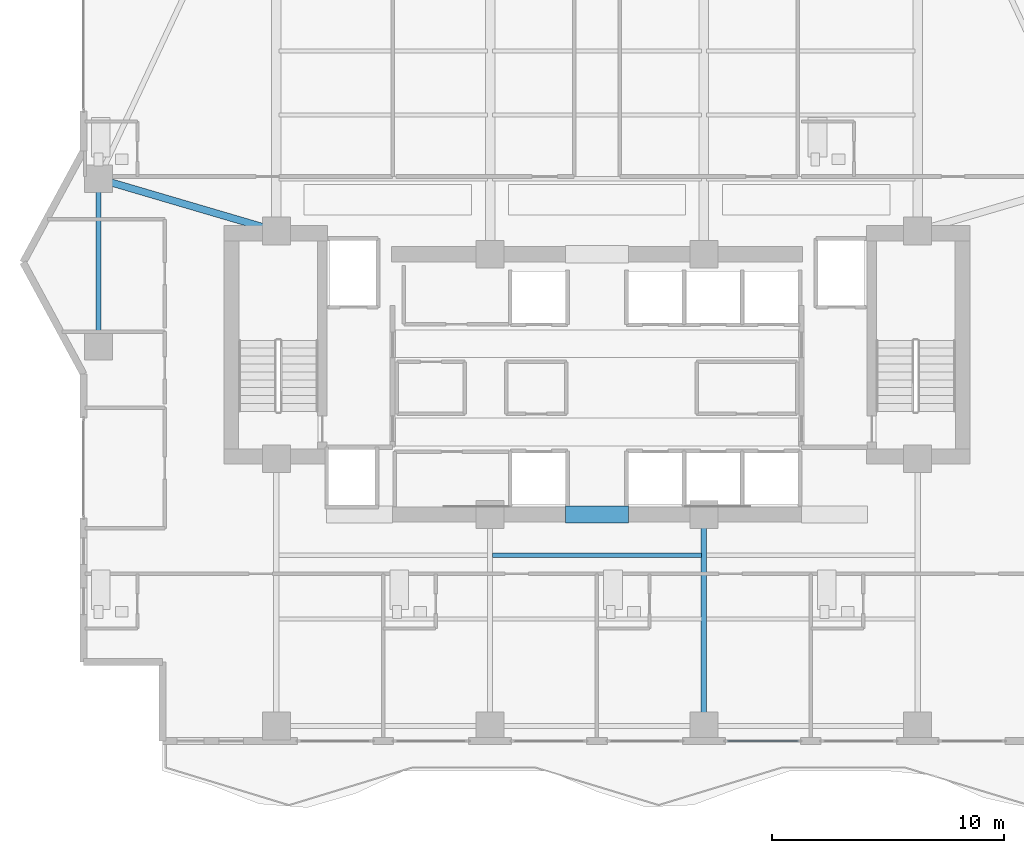
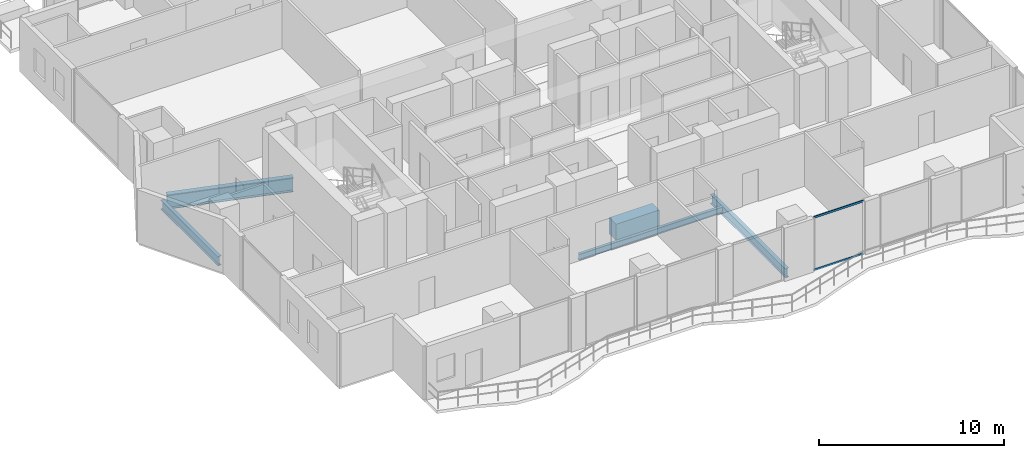
# One storey, part 6 of 32: 5 beams, 2 members, 1 element without a shape of its own.
"""IFC4 building model written with IfcOpenShell, lengths in metres."""

from ifc_helpers import new_model, si_unit, direction, frame, origin, origin_2d, place, context, subcontext, project, spatial, rectangle, hollow_rectangle, i_section, extrude, material, layer, layer_set, material_profile, profile_set, type_object, element, aggregate, save


model = new_model("IFC4")

# Units and contexts
model_context = context("Model", 3, precision=1e-05, world=origin(), true_north=direction((0.0, 1.0)))
body_context = subcontext(model_context, "Body", "Model", "MODEL_VIEW")
ifc_project = project(units=[si_unit("LENGTHUNIT", "METRE"), si_unit("AREAUNIT", "SQUARE_METRE"), si_unit("VOLUMEUNIT", "CUBIC_METRE"), si_unit("PLANEANGLEUNIT", "RADIAN"), si_unit("MASSUNIT", "GRAM", prefix="KILO")], contexts=[model_context])

# Site, building, storey
site_placement = place(None, origin())
site = spatial("IfcSite", under=ifc_project, at=site_placement, CompositionType="ELEMENT")
building_placement = place(site_placement, origin())
building = spatial("IfcBuilding", under=site, at=building_placement, Name="Zuhayl Quay Hotel", CompositionType="ELEMENT")
storey_placement = place(building_placement, frame((0.0, 0.0, 226.14990234375)))
storey = spatial("IfcBuildingStorey", under=building, at=storey_placement, Name="L57", CompositionType="ELEMENT", Elevation=226.14990234375)

# Beams
ifc_material_1 = material(Name="Steel ASTM A992 Grade 50", Category="steel")
ifc_material_profile_1 = material_profile(ifc_material_1, i_section(OverallWidth=0.22802734375, OverallDepth=0.60693359375, WebThickness=0.01123046875, FlangeThickness=0.017333984375, at=origin_2d()), Name="W24X76")
ifc_profile_set_1 = profile_set([ifc_material_profile_1], Name="Steel ASTM A992 Grade 50")
beam_type_1 = type_object("IfcBeamType", Name="BM_B3_W24X76", PredefinedType="BEAM", material=ifc_profile_set_1)
beam_1_placement = place(storey_placement, frame((-21.449951171875, 16.10009765625, -0.5234375), z_axis=(0.0, -1.0, 0.0), x_axis=(1.0, 0.0, 0.0)))
element("IfcBeam", 1, at=beam_1_placement, inside=storey, type_object=beam_type_1, Name="L57 Floor Beam RG_L57_11", PredefinedType="BEAM", context=body_context, shape_type="SweptSolid", body=[
    extrude(i_section(OverallWidth=0.22802734375, OverallDepth=0.60693359375, WebThickness=0.01123046875, FlangeThickness=0.017333984375, at=origin_2d()), origin(), (0.0, 0.0, 1.0), 6.2001953125),
])
beam_2_placement = place(storey_placement, frame((4.60009765625, -6.449951171875, -0.5234375), z_axis=(0.0, 1.0, 0.0), x_axis=(-1.0, 0.0, 0.0)))
element("IfcBeam", 2, at=beam_2_placement, inside=storey, type_object=beam_type_1, Name="L57 Floor Beam FG_S_L57_3", PredefinedType="BEAM", context=body_context, shape_type="SweptSolid", body=[
    extrude(i_section(OverallWidth=0.22802734375, OverallDepth=0.60693359375, WebThickness=0.01123046875, FlangeThickness=0.017333984375, at=origin_2d()), origin(), (0.0, 0.0, 1.0), 8.14990234375),
])
ifc_material_2 = material(Name="Concrete C60/75", Category="concrete")
ifc_material_profile_2 = material_profile(ifc_material_2, rectangle(XDim=0.75, YDim=1.10009765625, at=origin_2d()), Name="RC750X1100")
ifc_profile_set_2 = profile_set([ifc_material_profile_2], Name="Concrete C60/75")
beam_type_2 = type_object("IfcBeamType", Name="BM_CB2_RC750", PredefinedType="T_BEAM", material=ifc_profile_set_2)
beam_3_placement = place(storey_placement, frame((-1.35009765625, 2.14990234375, -0.77001953125), z_axis=(1.0, 0.0, 0.0), x_axis=(0.0, 1.0, 0.0)))
element("IfcBeam", 3, at=beam_3_placement, inside=storey, type_object=beam_type_2, Name="L57 Core Coupling Beam South", PredefinedType="T_BEAM", context=body_context, shape_type="SweptSolid", body=[
    extrude(rectangle(XDim=0.75, YDim=1.10009765625, at=origin_2d()), origin(), (0.0, 0.0, 1.0), 2.7001953125),
])
ifc_material_profile_3 = material_profile(ifc_material_1, i_section(OverallWidth=0.177978515625, OverallDepth=0.406005859375, WebThickness=0.0078125, FlangeThickness=0.0126953125, at=origin_2d()), Name="W16X40")
ifc_profile_set_3 = profile_set([ifc_material_profile_3], Name="Steel ASTM A992 Grade 50")
beam_type_3 = type_object("IfcBeamType", Name="BM_J2B_W16X40", PredefinedType="JOIST", material=ifc_profile_set_3)
beam_4_placement = place(storey_placement, frame((-4.493896484375, 0.39990234375, -0.4228515625), z_axis=(1.0, 0.0, 0.0), x_axis=(0.0, 1.0, 0.0)))
element("IfcBeam", 4, at=beam_4_placement, inside=storey, type_object=beam_type_3, Name="L57 Floor Beam FJ_L57_8_2", PredefinedType="JOIST", context=body_context, shape_type="SweptSolid", body=[
    extrude(i_section(OverallWidth=0.177978515625, OverallDepth=0.406005859375, WebThickness=0.0078125, FlangeThickness=0.0126953125, at=origin_2d()), origin(), (0.0, 0.0, 1.0), 8.98779296875),
])
ifc_material_profile_4 = material_profile(ifc_material_1, i_section(OverallWidth=0.31005859375, OverallDepth=0.949951171875, WebThickness=0.0244140625, FlangeThickness=0.0439453125, at=origin_2d()), Name="W36X256")
ifc_profile_set_4 = profile_set([ifc_material_profile_4], Name="Steel ASTM A992 Grade 50")
beam_type_4 = type_object("IfcBeamType", Name="BM_PG1_W36X256", PredefinedType="BEAM", material=ifc_profile_set_4)
beam_5_placement = place(storey_placement, frame((-20.97021484375, 16.458984375, -0.69482421875), z_axis=(0.959364948093, -0.282168205812, 0.0), x_axis=(0.282168205812, 0.959364948093, 0.0)))
element("IfcBeam", 5, at=beam_5_placement, inside=storey, type_object=beam_type_4, Name="L57 Floor Beam FG_W_L57_2", PredefinedType="BEAM", context=body_context, shape_type="SweptSolid", body=[
    extrude(i_section(OverallWidth=0.31005859375, OverallDepth=0.949951171875, WebThickness=0.0244140625, FlangeThickness=0.0439453125, at=origin_2d()), origin(), (0.0, 0.0, 1.0), 7.02392578125),
])

# Curtain wall, members
ifc_material_3 = material(Name="Anodised Aluminium 6063-T6", Category="aluminium")
ifc_layer = layer(ifc_material_3, 0.175048828125, Name="Anodised Aluminium 6063-T6", Category="aluminium")
ifc_layer_set = layer_set([ifc_layer], Name="Anodised Aluminium 6063-T6")
curtain_wall_type = type_object("IfcCurtainWallType", Name="CW_SYS_Z3", PredefinedType="USERDEFINED", material=ifc_layer_set)
curtain_wall_placement = place(storey_placement, origin())
curtain_wall = element("IfcCurtainWall", 6, at=curtain_wall_placement, inside=storey, type_object=curtain_wall_type, Name="L57 Curtain Wall ENV_L57_S_CW3", ObjectType="UNITISED CURTAIN WALL", PredefinedType="USERDEFINED")
ifc_material_4 = material(Name="Black-anodised aluminium 6063-T6", Category="aluminium")
ifc_material_profile_5 = material_profile(ifc_material_4, hollow_rectangle(XDim=0.054931640625, YDim=0.1298828125, WallThickness=0.0029296875, at=origin_2d()), Name="ALU130X55")
ifc_profile_set_5 = profile_set([ifc_material_profile_5], Name="Black-anodised aluminium 6063-T6")
member_type = type_object("IfcMemberType", Name="MB_CW_TRN_130", PredefinedType="USERDEFINED", material=ifc_profile_set_5)
member_1_placement = place(storey_placement, frame((8.68505859375, -7.60009765625, 0.027587890625), z_axis=(-1.0, 0.0, 0.0), x_axis=(0.0, -1.0, 0.0)))
member_1 = element("IfcMember", 7, at=member_1_placement, type_object=member_type, Name="CW-Z3 transom 1.1", ObjectType="TRANSOM", PredefinedType="USERDEFINED", context=body_context, shape_type="SweptSolid", body=[
    extrude(hollow_rectangle(XDim=0.054931640625, YDim=0.1298828125, WallThickness=0.0029296875, at=origin_2d()), origin(), (0.0, 0.0, 1.0), 3.10009765625),
])
member_2_placement = place(storey_placement, frame((8.68505859375, -7.60009765625, 3.502685546875), z_axis=(-1.0, 0.0, 0.0), x_axis=(0.0, -1.0, 0.0)))
member_2 = element("IfcMember", 8, at=member_2_placement, type_object=member_type, Name="CW-Z3 transom 1.2", ObjectType="TRANSOM", PredefinedType="USERDEFINED", context=body_context, shape_type="SweptSolid", body=[
    extrude(hollow_rectangle(XDim=0.054931640625, YDim=0.1298828125, WallThickness=0.0029296875, at=origin_2d()), origin(), (0.0, 0.0, 1.0), 3.10009765625),
])
aggregate(curtain_wall, [member_1, member_2])

save(model, "model.ifc")
